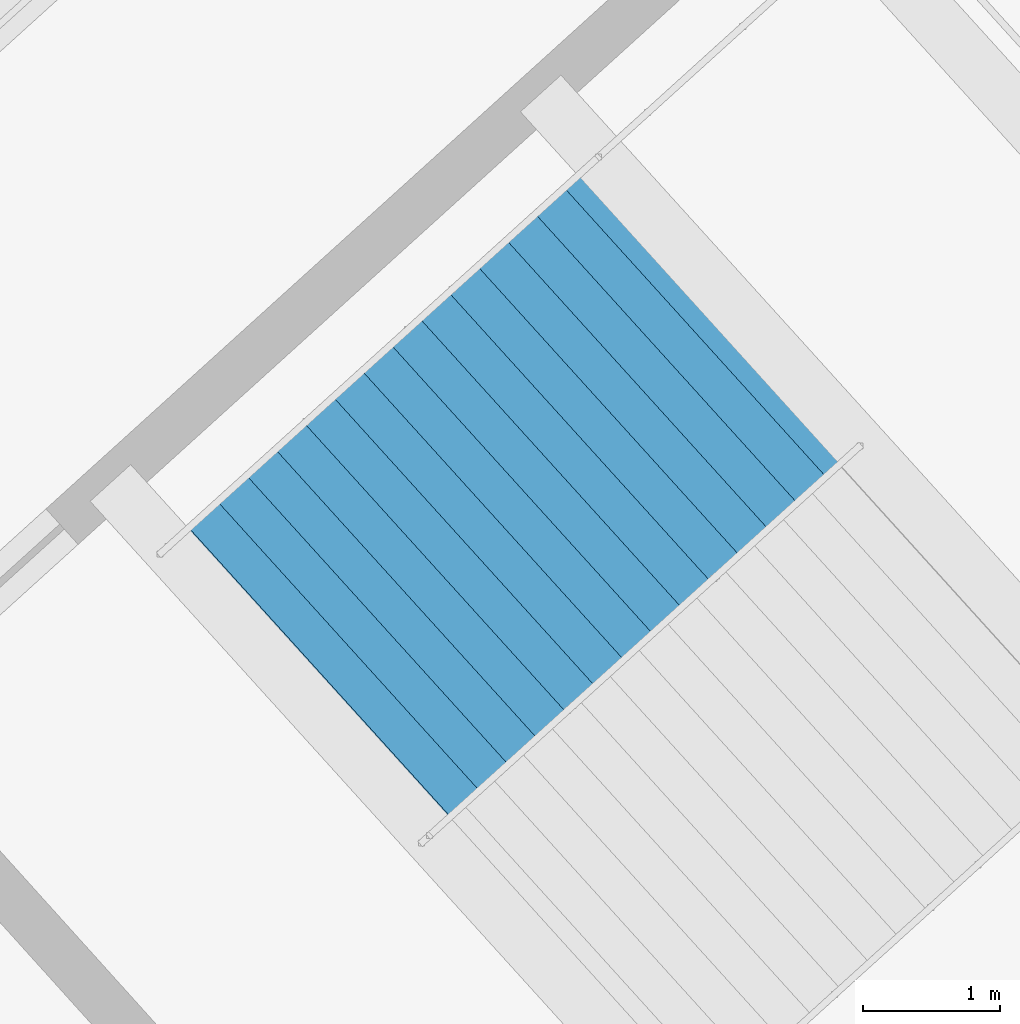
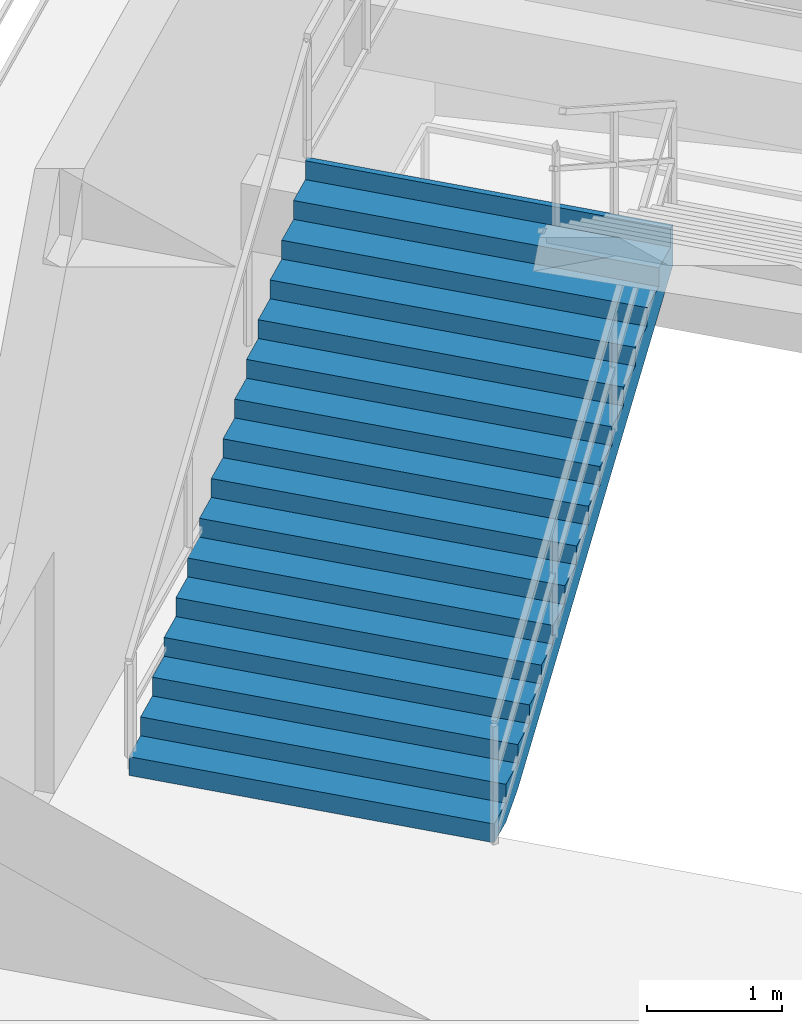
# One storey, part 88 of 103: 1 stair flight, 1 element without a shape of its own.
"""IFC4 building model written with IfcOpenShell, lengths in metres."""

from ifc_helpers import new_model, si_unit, direction, frame, origin, place, context, subcontext, project, spatial, polygons, material, type_object, element, aggregate, save


model = new_model("IFC4")

# Units and contexts
model_context = context("Model", 3, precision=1e-05, world=origin(), true_north=direction((0.0, 1.0)))
body_context = subcontext(model_context, "Body", "Model", "MODEL_VIEW")
ifc_project = project(units=[si_unit("LENGTHUNIT", "METRE"), si_unit("AREAUNIT", "SQUARE_METRE"), si_unit("VOLUMEUNIT", "CUBIC_METRE"), si_unit("PLANEANGLEUNIT", "RADIAN"), si_unit("MASSUNIT", "GRAM", prefix="KILO")], contexts=[model_context])

# Site, building, storey
site_placement = place(None, origin())
site = spatial("IfcSite", under=ifc_project, at=site_placement, CompositionType="ELEMENT")
building_placement = place(site_placement, origin())
building = spatial("IfcBuilding", under=site, at=building_placement, Name="Kazemori Nagisa Stadium", CompositionType="ELEMENT")
storey_placement = place(building_placement, frame((0.0, 0.0, 25.840087890625)))
storey = spatial("IfcBuildingStorey", under=building, at=storey_placement, Name="L05", CompositionType="ELEMENT", Elevation=25.840087890625)

# Stair, stair flight
ifc_material = material(Name="Concrete C36/45 (Fc36)", Category="concrete")
stair_type = type_object("IfcStairType", Name="Stair_CORE_32", PredefinedType="TWO_STRAIGHT_RUN_STAIR", material=ifc_material)
stair_placement = place(storey_placement, origin())
stair = element("IfcStair", 1, at=stair_placement, inside=storey, type_object=stair_type, Name="Exit stair ST04 L05", PredefinedType="TWO_STRAIGHT_RUN_STAIR")
stair_flight_type = type_object("IfcStairFlightType", Name="Flight_CORE_16", PredefinedType="STRAIGHT", material=ifc_material)
stair_flight_placement = place(storey_placement, frame((182.77587890625, 39.410400390625, 0.0), z_axis=(0.0, 0.0, 1.0), x_axis=(0.741328742395, 0.671142083093, 0.0)))
stair_flight = element("IfcStairFlight", 2, at=stair_flight_placement, type_object=stair_flight_type, Name="Exit stair ST04 L05 flight 1", NumberOfRisers=16, NumberOfTreads=15, PredefinedType="STRAIGHT", RiserHeight=0.17, TreadLength=0.285, context=body_context, shape_type="Tessellation", body=[
    polygons([(0.0, -1.425048828125, 0.0), (0.0, -1.425048828125, 0.169921875), (0.284912109375, -1.425048828125, 0.169921875), (0.284912109375, -1.425048828125, 0.340087890625), (0.570068359375, -1.425048828125, 0.340087890625), (0.570068359375, -1.425048828125, 0.510009765625), (0.85498046875, -1.425048828125, 0.510009765625), (0.85498046875, -1.425048828125, 0.679931640625), (1.139892578125, -1.425048828125, 0.679931640625), (1.139892578125, -1.425048828125, 0.85009765625), (1.425048828125, -1.425048828125, 0.85009765625), (1.425048828125, -1.425048828125, 1.02001953125), (1.7099609375, -1.425048828125, 1.02001953125), (1.7099609375, -1.425048828125, 1.18994140625), (1.9951171875, -1.425048828125, 1.18994140625), (1.9951171875, -1.425048828125, 1.360107421875), (2.280029296875, -1.425048828125, 1.360107421875), (2.280029296875, -1.425048828125, 1.530029296875), (2.56494140625, -1.425048828125, 1.530029296875), (2.56494140625, -1.425048828125, 1.699951171875), (2.85009765625, -1.425048828125, 1.699951171875), (2.85009765625, -1.425048828125, 1.8701171875), (3.135009765625, -1.425048828125, 1.8701171875), (3.135009765625, -1.425048828125, 2.0400390625), (3.419921875, -1.425048828125, 2.0400390625), (3.419921875, -1.425048828125, 2.2099609375), (3.705078125, -1.425048828125, 2.2099609375), (3.705078125, -1.425048828125, 2.3798828125), (3.989990234375, -1.425048828125, 2.3798828125), (3.989990234375, -1.425048828125, 2.550048828125), (4.27490234375, -1.425048828125, 2.550048828125), (4.27490234375, -1.425048828125, 2.719970703125), (4.324951171875, -1.425048828125, 2.719970703125), (4.324951171875, -1.425048828125, 2.346923828125), (4.27490234375, -1.425048828125, 2.317138671875), (3.989990234375, -1.425048828125, 2.147216796875), (3.705078125, -1.425048828125, 1.977294921875), (3.419921875, -1.425048828125, 1.80712890625), (3.135009765625, -1.425048828125, 1.63720703125), (2.85009765625, -1.425048828125, 1.46728515625), (2.56494140625, -1.425048828125, 1.297119140625), (2.280029296875, -1.425048828125, 1.127197265625), (1.9951171875, -1.425048828125, 0.957275390625), (1.7099609375, -1.425048828125, 0.787109375), (1.425048828125, -1.425048828125, 0.6171875), (1.139892578125, -1.425048828125, 0.447265625), (0.85498046875, -1.425048828125, 0.277099609375), (0.570068359375, -1.425048828125, 0.107177734375), (0.284912109375, -1.425048828125, 0.0), (0.0, -0.08544921875, 0.0), (0.0, -0.08544921875, 0.169921875), (0.284912109375, -0.08544921875, 0.169921875), (0.284912109375, -0.08544921875, 0.340087890625), (0.570068359375, -0.08544921875, 0.340087890625), (0.570068359375, -0.08544921875, 0.510009765625), (0.85498046875, -0.08544921875, 0.510009765625), (0.85498046875, -0.08544921875, 0.679931640625), (1.139892578125, -0.08544921875, 0.679931640625), (1.139892578125, -0.08544921875, 0.85009765625), (1.425048828125, -0.08544921875, 0.85009765625), (1.425048828125, -0.08544921875, 1.02001953125), (1.7099609375, -0.08544921875, 1.02001953125), (1.7099609375, -0.08544921875, 1.18994140625), (1.9951171875, -0.08544921875, 1.18994140625), (1.9951171875, -0.08544921875, 1.360107421875), (2.280029296875, -0.08544921875, 1.360107421875), (2.280029296875, -0.08544921875, 1.530029296875), (2.56494140625, -0.08544921875, 1.530029296875), (2.56494140625, -0.08544921875, 1.699951171875), (2.85009765625, -0.08544921875, 1.699951171875), (2.85009765625, -0.08544921875, 1.8701171875), (3.135009765625, -0.08544921875, 1.8701171875), (3.135009765625, -0.08544921875, 2.0400390625), (3.419921875, -0.08544921875, 2.0400390625), (3.419921875, -0.08544921875, 2.2099609375), (3.705078125, -0.08544921875, 2.2099609375), (3.705078125, -0.08544921875, 2.3798828125), (3.989990234375, -0.08544921875, 2.3798828125), (3.989990234375, -0.08544921875, 2.550048828125), (4.27490234375, -0.08544921875, 2.550048828125), (4.27490234375, -0.08544921875, 2.719970703125), (4.324951171875, -0.08544921875, 2.719970703125), (4.324951171875, -0.08544921875, 2.346923828125), (4.27490234375, -0.08544921875, 2.317138671875), (3.989990234375, -0.08544921875, 2.147216796875), (3.705078125, -0.08544921875, 1.977294921875), (3.419921875, -0.08544921875, 1.80712890625), (3.135009765625, -0.08544921875, 1.63720703125), (2.85009765625, -0.08544921875, 1.46728515625), (2.56494140625, -0.08544921875, 1.297119140625), (2.280029296875, -0.08544921875, 1.127197265625), (1.9951171875, -0.08544921875, 0.957275390625), (1.7099609375, -0.08544921875, 0.787109375), (1.425048828125, -0.08544921875, 0.6171875), (1.139892578125, -0.08544921875, 0.447265625), (0.85498046875, -0.08544921875, 0.277099609375), (0.570068359375, -0.08544921875, 0.107177734375), (0.284912109375, -0.08544921875, 0.0), (0.0, 0.0, 0.0), (0.0, 0.0, 0.169921875), (0.284912109375, 0.0, 0.169921875), (0.284912109375, 0.0, 0.340087890625), (0.570068359375, 0.0, 0.340087890625), (0.570068359375, 0.0, 0.510009765625), (0.85498046875, 0.0, 0.510009765625), (0.85498046875, 0.0, 0.679931640625), (1.139892578125, 0.0, 0.679931640625), (1.139892578125, 0.0, 0.85009765625), (1.425048828125, 0.0, 0.85009765625), (1.425048828125, 0.0, 1.02001953125), (1.7099609375, 0.0, 1.02001953125), (1.7099609375, 0.0, 1.18994140625), (1.9951171875, 0.0, 1.18994140625), (1.9951171875, 0.0, 1.360107421875), (2.280029296875, 0.0, 1.360107421875), (2.280029296875, 0.0, 1.530029296875), (2.56494140625, 0.0, 1.530029296875), (2.56494140625, 0.0, 1.699951171875), (2.85009765625, 0.0, 1.699951171875), (2.85009765625, 0.0, 1.8701171875), (3.135009765625, 0.0, 1.8701171875), (3.135009765625, 0.0, 2.0400390625), (3.419921875, 0.0, 2.0400390625), (3.419921875, 0.0, 2.2099609375), (3.705078125, 0.0, 2.2099609375), (3.705078125, 0.0, 2.3798828125), (3.989990234375, 0.0, 2.3798828125), (3.989990234375, 0.0, 2.550048828125), (4.27490234375, 0.0, 2.550048828125), (4.27490234375, 0.0, 2.719970703125), (4.324951171875, 0.0, 2.719970703125), (4.324951171875, 0.0, 2.346923828125), (4.27490234375, 0.0, 2.317138671875), (3.989990234375, 0.0, 2.147216796875), (3.705078125, 0.0, 1.977294921875), (3.419921875, 0.0, 1.80712890625), (3.135009765625, 0.0, 1.63720703125), (2.85009765625, 0.0, 1.46728515625), (2.56494140625, 0.0, 1.297119140625), (2.280029296875, 0.0, 1.127197265625), (1.9951171875, 0.0, 0.957275390625), (1.7099609375, 0.0, 0.787109375), (1.425048828125, 0.0, 0.6171875), (1.139892578125, 0.0, 0.447265625), (0.85498046875, 0.0, 0.277099609375), (0.570068359375, 0.0, 0.107177734375), (0.284912109375, 0.0, 0.0), (0.0, 0.08544921875, 0.0), (0.0, 0.08544921875, 0.169921875), (0.284912109375, 0.08544921875, 0.169921875), (0.284912109375, 0.08544921875, 0.340087890625), (0.570068359375, 0.08544921875, 0.340087890625), (0.570068359375, 0.08544921875, 0.510009765625), (0.85498046875, 0.08544921875, 0.510009765625), (0.85498046875, 0.08544921875, 0.679931640625), (1.139892578125, 0.08544921875, 0.679931640625), (1.139892578125, 0.08544921875, 0.85009765625), (1.425048828125, 0.08544921875, 0.85009765625), (1.425048828125, 0.08544921875, 1.02001953125), (1.7099609375, 0.08544921875, 1.02001953125), (1.7099609375, 0.08544921875, 1.18994140625), (1.9951171875, 0.08544921875, 1.18994140625), (1.9951171875, 0.08544921875, 1.360107421875), (2.280029296875, 0.08544921875, 1.360107421875), (2.280029296875, 0.08544921875, 1.530029296875), (2.56494140625, 0.08544921875, 1.530029296875), (2.56494140625, 0.08544921875, 1.699951171875), (2.85009765625, 0.08544921875, 1.699951171875), (2.85009765625, 0.08544921875, 1.8701171875), (3.135009765625, 0.08544921875, 1.8701171875), (3.135009765625, 0.08544921875, 2.0400390625), (3.419921875, 0.08544921875, 2.0400390625), (3.419921875, 0.08544921875, 2.2099609375), (3.705078125, 0.08544921875, 2.2099609375), (3.705078125, 0.08544921875, 2.3798828125), (3.989990234375, 0.08544921875, 2.3798828125), (3.989990234375, 0.08544921875, 2.550048828125), (4.27490234375, 0.08544921875, 2.550048828125), (4.27490234375, 0.08544921875, 2.719970703125), (4.324951171875, 0.08544921875, 2.719970703125), (4.324951171875, 0.08544921875, 2.346923828125), (4.27490234375, 0.08544921875, 2.317138671875), (3.989990234375, 0.08544921875, 2.147216796875), (3.705078125, 0.08544921875, 1.977294921875), (3.419921875, 0.08544921875, 1.80712890625), (3.135009765625, 0.08544921875, 1.63720703125), (2.85009765625, 0.08544921875, 1.46728515625), (2.56494140625, 0.08544921875, 1.297119140625), (2.280029296875, 0.08544921875, 1.127197265625), (1.9951171875, 0.08544921875, 0.957275390625), (1.7099609375, 0.08544921875, 0.787109375), (1.425048828125, 0.08544921875, 0.6171875), (1.139892578125, 0.08544921875, 0.447265625), (0.85498046875, 0.08544921875, 0.277099609375), (0.570068359375, 0.08544921875, 0.107177734375), (0.284912109375, 0.08544921875, 0.0), (0.0, 1.425048828125, 0.0), (0.0, 1.425048828125, 0.169921875), (0.284912109375, 1.425048828125, 0.169921875), (0.284912109375, 1.425048828125, 0.340087890625), (0.570068359375, 1.425048828125, 0.340087890625), (0.570068359375, 1.425048828125, 0.510009765625), (0.85498046875, 1.425048828125, 0.510009765625), (0.85498046875, 1.425048828125, 0.679931640625), (1.139892578125, 1.425048828125, 0.679931640625), (1.139892578125, 1.425048828125, 0.85009765625), (1.425048828125, 1.425048828125, 0.85009765625), (1.425048828125, 1.425048828125, 1.02001953125), (1.7099609375, 1.425048828125, 1.02001953125), (1.7099609375, 1.425048828125, 1.18994140625), (1.9951171875, 1.425048828125, 1.18994140625), (1.9951171875, 1.425048828125, 1.360107421875), (2.280029296875, 1.425048828125, 1.360107421875), (2.280029296875, 1.425048828125, 1.530029296875), (2.56494140625, 1.425048828125, 1.530029296875), (2.56494140625, 1.425048828125, 1.699951171875), (2.85009765625, 1.425048828125, 1.699951171875), (2.85009765625, 1.425048828125, 1.8701171875), (3.135009765625, 1.425048828125, 1.8701171875), (3.135009765625, 1.425048828125, 2.0400390625), (3.419921875, 1.425048828125, 2.0400390625), (3.419921875, 1.425048828125, 2.2099609375), (3.705078125, 1.425048828125, 2.2099609375), (3.705078125, 1.425048828125, 2.3798828125), (3.989990234375, 1.425048828125, 2.3798828125), (3.989990234375, 1.425048828125, 2.550048828125), (4.27490234375, 1.425048828125, 2.550048828125), (4.27490234375, 1.425048828125, 2.719970703125), (4.324951171875, 1.425048828125, 2.719970703125), (4.324951171875, 1.425048828125, 2.346923828125), (4.27490234375, 1.425048828125, 2.317138671875), (3.989990234375, 1.425048828125, 2.147216796875), (3.705078125, 1.425048828125, 1.977294921875), (3.419921875, 1.425048828125, 1.80712890625), (3.135009765625, 1.425048828125, 1.63720703125), (2.85009765625, 1.425048828125, 1.46728515625), (2.56494140625, 1.425048828125, 1.297119140625), (2.280029296875, 1.425048828125, 1.127197265625), (1.9951171875, 1.425048828125, 0.957275390625), (1.7099609375, 1.425048828125, 0.787109375), (1.425048828125, 1.425048828125, 0.6171875), (1.139892578125, 1.425048828125, 0.447265625), (0.85498046875, 1.425048828125, 0.277099609375), (0.570068359375, 1.425048828125, 0.107177734375), (0.284912109375, 1.425048828125, 0.0)], [[[1, 2, 51]], [[1, 51, 50]], [[2, 3, 52]], [[2, 52, 51]], [[3, 4, 53]], [[3, 53, 52]], [[4, 5, 54]], [[4, 54, 53]], [[5, 6, 55]], [[5, 55, 54]], [[6, 7, 56]], [[6, 56, 55]], [[7, 8, 57]], [[7, 57, 56]], [[8, 9, 58]], [[8, 58, 57]], [[9, 10, 59]], [[9, 59, 58]], [[10, 11, 60]], [[10, 60, 59]], [[11, 12, 61]], [[11, 61, 60]], [[12, 13, 62]], [[12, 62, 61]], [[13, 14, 63]], [[13, 63, 62]], [[14, 15, 64]], [[14, 64, 63]], [[15, 16, 65]], [[15, 65, 64]], [[16, 17, 66]], [[16, 66, 65]], [[17, 18, 67]], [[17, 67, 66]], [[18, 19, 68]], [[18, 68, 67]], [[19, 20, 69]], [[19, 69, 68]], [[20, 21, 70]], [[20, 70, 69]], [[21, 22, 71]], [[21, 71, 70]], [[22, 23, 72]], [[22, 72, 71]], [[23, 24, 73]], [[23, 73, 72]], [[24, 25, 74]], [[24, 74, 73]], [[25, 26, 75]], [[25, 75, 74]], [[26, 27, 76]], [[26, 76, 75]], [[27, 28, 77]], [[27, 77, 76]], [[28, 29, 78]], [[28, 78, 77]], [[29, 30, 79]], [[29, 79, 78]], [[30, 31, 80]], [[30, 80, 79]], [[31, 32, 81]], [[31, 81, 80]], [[32, 33, 82]], [[32, 82, 81]], [[33, 34, 83]], [[33, 83, 82]], [[34, 35, 84]], [[34, 84, 83]], [[35, 36, 85]], [[35, 85, 84]], [[36, 37, 86]], [[36, 86, 85]], [[37, 38, 87]], [[37, 87, 86]], [[38, 39, 88]], [[38, 88, 87]], [[39, 40, 89]], [[39, 89, 88]], [[40, 41, 90]], [[40, 90, 89]], [[41, 42, 91]], [[41, 91, 90]], [[42, 43, 92]], [[42, 92, 91]], [[43, 44, 93]], [[43, 93, 92]], [[44, 45, 94]], [[44, 94, 93]], [[45, 46, 95]], [[45, 95, 94]], [[46, 47, 96]], [[46, 96, 95]], [[47, 48, 97]], [[47, 97, 96]], [[48, 49, 98]], [[48, 98, 97]], [[49, 1, 50]], [[49, 50, 98]], [[50, 51, 100]], [[50, 100, 99]], [[51, 52, 101]], [[51, 101, 100]], [[52, 53, 102]], [[52, 102, 101]], [[53, 54, 103]], [[53, 103, 102]], [[54, 55, 104]], [[54, 104, 103]], [[55, 56, 105]], [[55, 105, 104]], [[56, 57, 106]], [[56, 106, 105]], [[57, 58, 107]], [[57, 107, 106]], [[58, 59, 108]], [[58, 108, 107]], [[59, 60, 109]], [[59, 109, 108]], [[60, 61, 110]], [[60, 110, 109]], [[61, 62, 111]], [[61, 111, 110]], [[62, 63, 112]], [[62, 112, 111]], [[63, 64, 113]], [[63, 113, 112]], [[64, 65, 114]], [[64, 114, 113]], [[65, 66, 115]], [[65, 115, 114]], [[66, 67, 116]], [[66, 116, 115]], [[67, 68, 117]], [[67, 117, 116]], [[68, 69, 118]], [[68, 118, 117]], [[69, 70, 119]], [[69, 119, 118]], [[70, 71, 120]], [[70, 120, 119]], [[71, 72, 121]], [[71, 121, 120]], [[72, 73, 122]], [[72, 122, 121]], [[73, 74, 123]], [[73, 123, 122]], [[74, 75, 124]], [[74, 124, 123]], [[75, 76, 125]], [[75, 125, 124]], [[76, 77, 126]], [[76, 126, 125]], [[77, 78, 127]], [[77, 127, 126]], [[78, 79, 128]], [[78, 128, 127]], [[79, 80, 129]], [[79, 129, 128]], [[80, 81, 130]], [[80, 130, 129]], [[81, 82, 131]], [[81, 131, 130]], [[82, 83, 132]], [[82, 132, 131]], [[83, 84, 133]], [[83, 133, 132]], [[84, 85, 134]], [[84, 134, 133]], [[85, 86, 135]], [[85, 135, 134]], [[86, 87, 136]], [[86, 136, 135]], [[87, 88, 137]], [[87, 137, 136]], [[88, 89, 138]], [[88, 138, 137]], [[89, 90, 139]], [[89, 139, 138]], [[90, 91, 140]], [[90, 140, 139]], [[91, 92, 141]], [[91, 141, 140]], [[92, 93, 142]], [[92, 142, 141]], [[93, 94, 143]], [[93, 143, 142]], [[94, 95, 144]], [[94, 144, 143]], [[95, 96, 145]], [[95, 145, 144]], [[96, 97, 146]], [[96, 146, 145]], [[97, 98, 147]], [[97, 147, 146]], [[98, 50, 99]], [[98, 99, 147]], [[99, 100, 149]], [[99, 149, 148]], [[100, 101, 150]], [[100, 150, 149]], [[101, 102, 151]], [[101, 151, 150]], [[102, 103, 152]], [[102, 152, 151]], [[103, 104, 153]], [[103, 153, 152]], [[104, 105, 154]], [[104, 154, 153]], [[105, 106, 155]], [[105, 155, 154]], [[106, 107, 156]], [[106, 156, 155]], [[107, 108, 157]], [[107, 157, 156]], [[108, 109, 158]], [[108, 158, 157]], [[109, 110, 159]], [[109, 159, 158]], [[110, 111, 160]], [[110, 160, 159]], [[111, 112, 161]], [[111, 161, 160]], [[112, 113, 162]], [[112, 162, 161]], [[113, 114, 163]], [[113, 163, 162]], [[114, 115, 164]], [[114, 164, 163]], [[115, 116, 165]], [[115, 165, 164]], [[116, 117, 166]], [[116, 166, 165]], [[117, 118, 167]], [[117, 167, 166]], [[118, 119, 168]], [[118, 168, 167]], [[119, 120, 169]], [[119, 169, 168]], [[120, 121, 170]], [[120, 170, 169]], [[121, 122, 171]], [[121, 171, 170]], [[122, 123, 172]], [[122, 172, 171]], [[123, 124, 173]], [[123, 173, 172]], [[124, 125, 174]], [[124, 174, 173]], [[125, 126, 175]], [[125, 175, 174]], [[126, 127, 176]], [[126, 176, 175]], [[127, 128, 177]], [[127, 177, 176]], [[128, 129, 178]], [[128, 178, 177]], [[129, 130, 179]], [[129, 179, 178]], [[130, 131, 180]], [[130, 180, 179]], [[131, 132, 181]], [[131, 181, 180]], [[132, 133, 182]], [[132, 182, 181]], [[133, 134, 183]], [[133, 183, 182]], [[134, 135, 184]], [[134, 184, 183]], [[135, 136, 185]], [[135, 185, 184]], [[136, 137, 186]], [[136, 186, 185]], [[137, 138, 187]], [[137, 187, 186]], [[138, 139, 188]], [[138, 188, 187]], [[139, 140, 189]], [[139, 189, 188]], [[140, 141, 190]], [[140, 190, 189]], [[141, 142, 191]], [[141, 191, 190]], [[142, 143, 192]], [[142, 192, 191]], [[143, 144, 193]], [[143, 193, 192]], [[144, 145, 194]], [[144, 194, 193]], [[145, 146, 195]], [[145, 195, 194]], [[146, 147, 196]], [[146, 196, 195]], [[147, 99, 148]], [[147, 148, 196]], [[148, 149, 198]], [[148, 198, 197]], [[149, 150, 199]], [[149, 199, 198]], [[150, 151, 200]], [[150, 200, 199]], [[151, 152, 201]], [[151, 201, 200]], [[152, 153, 202]], [[152, 202, 201]], [[153, 154, 203]], [[153, 203, 202]], [[154, 155, 204]], [[154, 204, 203]], [[155, 156, 205]], [[155, 205, 204]], [[156, 157, 206]], [[156, 206, 205]], [[157, 158, 207]], [[157, 207, 206]], [[158, 159, 208]], [[158, 208, 207]], [[159, 160, 209]], [[159, 209, 208]], [[160, 161, 210]], [[160, 210, 209]], [[161, 162, 211]], [[161, 211, 210]], [[162, 163, 212]], [[162, 212, 211]], [[163, 164, 213]], [[163, 213, 212]], [[164, 165, 214]], [[164, 214, 213]], [[165, 166, 215]], [[165, 215, 214]], [[166, 167, 216]], [[166, 216, 215]], [[167, 168, 217]], [[167, 217, 216]], [[168, 169, 218]], [[168, 218, 217]], [[169, 170, 219]], [[169, 219, 218]], [[170, 171, 220]], [[170, 220, 219]], [[171, 172, 221]], [[171, 221, 220]], [[172, 173, 222]], [[172, 222, 221]], [[173, 174, 223]], [[173, 223, 222]], [[174, 175, 224]], [[174, 224, 223]], [[175, 176, 225]], [[175, 225, 224]], [[176, 177, 226]], [[176, 226, 225]], [[177, 178, 227]], [[177, 227, 226]], [[178, 179, 228]], [[178, 228, 227]], [[179, 180, 229]], [[179, 229, 228]], [[180, 181, 230]], [[180, 230, 229]], [[181, 182, 231]], [[181, 231, 230]], [[182, 183, 232]], [[182, 232, 231]], [[183, 184, 233]], [[183, 233, 232]], [[184, 185, 234]], [[184, 234, 233]], [[185, 186, 235]], [[185, 235, 234]], [[186, 187, 236]], [[186, 236, 235]], [[187, 188, 237]], [[187, 237, 236]], [[188, 189, 238]], [[188, 238, 237]], [[189, 190, 239]], [[189, 239, 238]], [[190, 191, 240]], [[190, 240, 239]], [[191, 192, 241]], [[191, 241, 240]], [[192, 193, 242]], [[192, 242, 241]], [[193, 194, 243]], [[193, 243, 242]], [[194, 195, 244]], [[194, 244, 243]], [[195, 196, 245]], [[195, 245, 244]], [[196, 148, 197]], [[196, 197, 245]], [[3, 2, 1]], [[197, 198, 199]], [[49, 3, 1]], [[197, 199, 245]], [[48, 3, 49]], [[245, 199, 244]], [[5, 3, 48]], [[244, 199, 201]], [[5, 4, 3]], [[199, 200, 201]], [[47, 5, 48]], [[244, 201, 243]], [[7, 5, 47]], [[243, 201, 203]], [[7, 6, 5]], [[201, 202, 203]], [[46, 7, 47]], [[243, 203, 242]], [[9, 7, 46]], [[242, 203, 205]], [[9, 8, 7]], [[203, 204, 205]], [[45, 9, 46]], [[242, 205, 241]], [[11, 9, 45]], [[241, 205, 207]], [[11, 10, 9]], [[205, 206, 207]], [[44, 11, 45]], [[241, 207, 240]], [[13, 11, 44]], [[240, 207, 209]], [[13, 12, 11]], [[207, 208, 209]], [[43, 13, 44]], [[240, 209, 239]], [[15, 13, 43]], [[239, 209, 211]], [[15, 14, 13]], [[209, 210, 211]], [[42, 15, 43]], [[239, 211, 238]], [[17, 15, 42]], [[238, 211, 213]], [[17, 16, 15]], [[211, 212, 213]], [[41, 17, 42]], [[238, 213, 237]], [[19, 17, 41]], [[237, 213, 215]], [[19, 18, 17]], [[213, 214, 215]], [[40, 19, 41]], [[237, 215, 236]], [[21, 19, 40]], [[236, 215, 217]], [[21, 20, 19]], [[215, 216, 217]], [[39, 21, 40]], [[236, 217, 235]], [[23, 21, 39]], [[235, 217, 219]], [[23, 22, 21]], [[217, 218, 219]], [[38, 23, 39]], [[235, 219, 234]], [[25, 23, 38]], [[234, 219, 221]], [[25, 24, 23]], [[219, 220, 221]], [[37, 25, 38]], [[234, 221, 233]], [[27, 25, 37]], [[233, 221, 223]], [[27, 26, 25]], [[221, 222, 223]], [[36, 27, 37]], [[233, 223, 232]], [[29, 27, 36]], [[232, 223, 225]], [[29, 28, 27]], [[223, 224, 225]], [[35, 29, 36]], [[232, 225, 231]], [[31, 29, 35]], [[231, 225, 227]], [[31, 30, 29]], [[225, 226, 227]], [[34, 31, 35]], [[231, 227, 230]], [[33, 31, 34]], [[230, 227, 229]], [[33, 32, 31]], [[227, 228, 229]]], closed=True),
])
aggregate(stair, [stair_flight])

save(model, "model.ifc")
